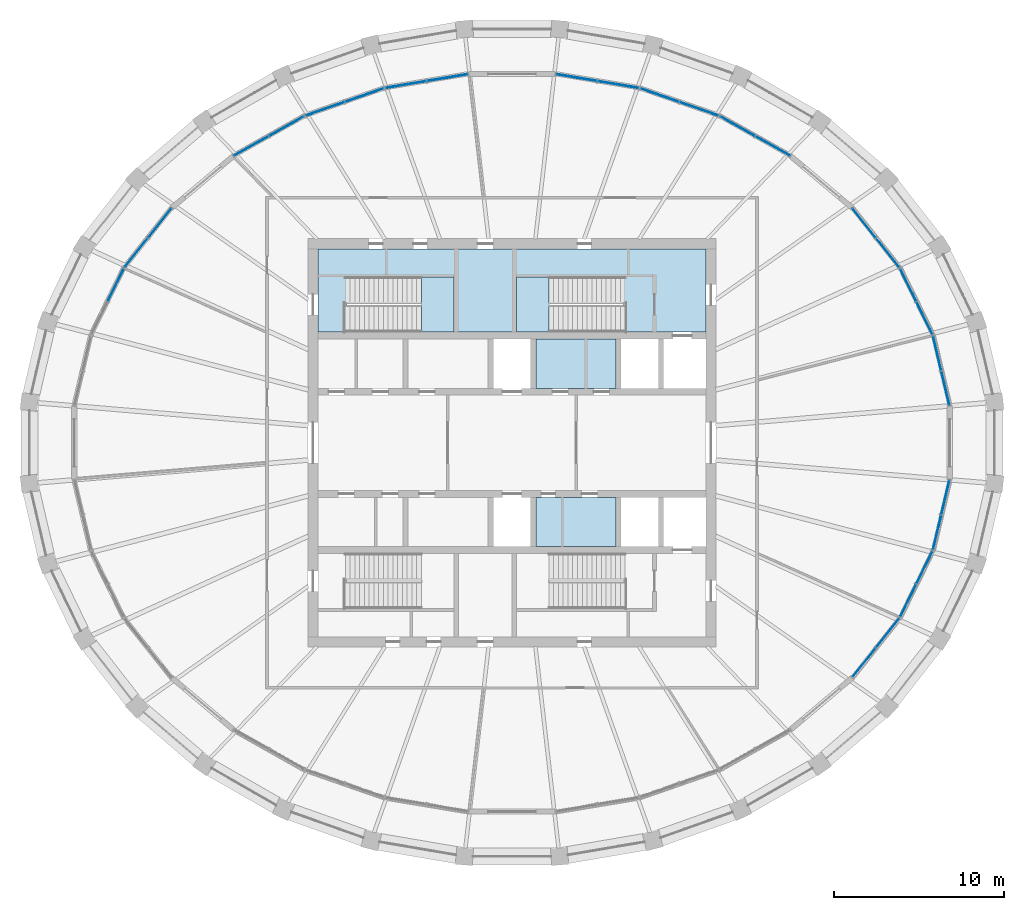
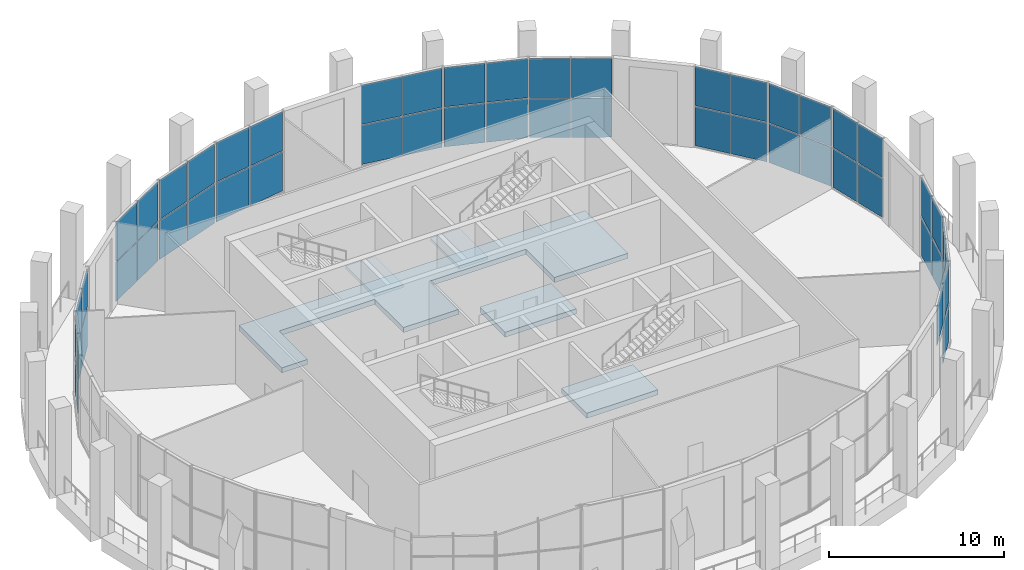
# One storey, part 9 of 15: 53 plates, 5 slabs, 16 elements without a shape of their own.
"""IFC4 building model written with IfcOpenShell, lengths in metres."""

import ifcopenshell
import ifcopenshell.guid

model = None  # the IFC model being written
_history = None  # IfcOwnerHistory: only IFC2X3 demands one
_inside = {}  # id of a spatial element -> (the spatial element, [elements in it])
_under = {}  # id of a project, library or spatial element -> (it, [spatial elements below it])
_declared = {}  # id of a project -> (the project, [libraries it declares])
_typed = {}  # id of a type object -> (the type object, [elements of that type])
_made_of = {}  # id of a material, layer set ... -> (it, [elements and type objects made of it])


def new_model(schema):
    """Start an empty IFC model of exactly this schema.

    Asked for "IFC4X3", IfcOpenShell would pick the latest addendum, in which some entities
    have other attributes; the version numbers below select the first issue.
    IFC2X3 requires an IfcOwnerHistory on every rooted entity: one is made here for all.
    """
    global model, _history
    if schema == "IFC4X3":
        model = ifcopenshell.file(schema_version=(4, 3, 0, 0))
    else:
        model = ifcopenshell.file(schema=schema)
    _inside.clear()
    _under.clear()
    _declared.clear()
    _typed.clear()
    _made_of.clear()
    _history = None
    if model.schema == "IFC2X3":
        org = make("IfcOrganization", Name="unknown")
        user = make(
            "IfcPersonAndOrganization",
            ThePerson=make("IfcPerson", FamilyName="unknown"),
            TheOrganization=org,
        )
        app = make(
            "IfcApplication",
            ApplicationDeveloper=org,
            Version="unknown",
            ApplicationFullName="unknown",
            ApplicationIdentifier="unknown",
        )
        _history = make(
            "IfcOwnerHistory",
            OwningUser=user,
            OwningApplication=app,
            ChangeAction="ADDED",
            CreationDate=0,
        )
    return model


def make(cls, **values):
    """One entity of the class cls with the attributes given. An attribute that is None is left unset."""
    return model.create_entity(
        cls, **{name: value for name, value in values.items() if value is not None}
    )


def rooted(cls, **values):
    """An entity with a GlobalId (a new one), such as an element, a storey or a relation."""
    return make(cls, GlobalId=ifcopenshell.guid.new(), OwnerHistory=_history, **values)


def si_unit(unit_type, name, prefix=None):
    """IfcSIUnit, for example si_unit("LENGTHUNIT", "METRE", prefix="MILLI")."""
    return make("IfcSIUnit", UnitType=unit_type, Prefix=prefix, Name=name)


def assignment(units):
    """IfcUnitAssignment: the units of a project."""
    return None if units is None else make("IfcUnitAssignment", Units=units)


def point(xyz):
    """IfcCartesianPoint."""
    return None if xyz is None else make("IfcCartesianPoint", Coordinates=xyz)


def direction(xyz):
    """IfcDirection."""
    return None if xyz is None else make("IfcDirection", DirectionRatios=xyz)


def frame(location, z_axis=None, x_axis=None):
    """IfcAxis2Placement3D, a coordinate frame: its origin and axes. An axis left out is left unset."""
    return make(
        "IfcAxis2Placement3D",
        Location=point(location),
        Axis=direction(z_axis),
        RefDirection=direction(x_axis),
    )


def frame_2d(location, x_axis=None):
    """IfcAxis2Placement2D, a coordinate frame in the plane: its origin and x axis."""
    return make(
        "IfcAxis2Placement2D", Location=point(location), RefDirection=direction(x_axis)
    )


def origin():
    """The frame at (0, 0, 0) with its axes left unset."""
    return frame((0.0, 0.0, 0.0))


def origin_2d():
    """The frame at (0, 0) in the plane with its x axis left unset."""
    return frame_2d((0.0, 0.0))


def place(relative_to, where):
    """IfcLocalPlacement: puts the frame where relative to a parent placement (None: the world)."""
    return make(
        "IfcLocalPlacement", PlacementRelTo=relative_to, RelativePlacement=where
    )


def context(
    kind, dimensions, precision=None, world=None, true_north=None, identifier=None
):
    """IfcGeometricRepresentationContext, for example the 3D "Model" context."""
    return make(
        "IfcGeometricRepresentationContext",
        ContextIdentifier=identifier,
        ContextType=kind,
        CoordinateSpaceDimension=dimensions,
        Precision=precision,
        WorldCoordinateSystem=world,
        TrueNorth=true_north,
    )


def subcontext(parent, identifier, kind, view, scale=None):
    """IfcGeometricRepresentationSubContext, for example "Body" below "Model"."""
    return make(
        "IfcGeometricRepresentationSubContext",
        ContextIdentifier=identifier,
        ContextType=kind,
        ParentContext=parent,
        TargetScale=scale,
        TargetView=view,
    )


def project(units=None, contexts=None):
    """IfcProject with its units and contexts."""
    return rooted(
        "IfcProject",
        Name="project",
        RepresentationContexts=contexts,
        UnitsInContext=assignment(units),
    )


def spatial(cls, under=None, at=None, **own):
    """A site, building, storey or space (cls), placed at a placement, below another one or the project."""
    s = rooted(cls, ObjectPlacement=at, **own)
    if under is not None:
        _under.setdefault(under.id(), (under, []))[1].append(s)
    return s


def polyline(points):
    """IfcPolyline through the points."""
    return make("IfcPolyline", Points=[point(p) for p in points])


def profile(cls, at=None, kind="AREA", **sizes):
    """A parametric profile (cls). Its sizes go by their IFC names, for example OverallWidth=200.0."""
    return make(cls, ProfileType=kind, Position=at, **sizes)


def rectangle(**sizes):
    """IfcRectangleProfileDef."""
    return profile("IfcRectangleProfileDef", **sizes)


def outline(outer, holes=None, kind="AREA"):
    """IfcArbitraryClosedProfileDef: a profile drawn as a closed curve; with holes, ...WithVoids."""
    if holes is None:
        return make("IfcArbitraryClosedProfileDef", ProfileType=kind, OuterCurve=outer)
    return make(
        "IfcArbitraryProfileDefWithVoids",
        ProfileType=kind,
        OuterCurve=outer,
        InnerCurves=holes,
    )


def extrude(swept, where, along, depth):
    """IfcExtrudedAreaSolid: the profile swept, set in the frame where, extruded along a direction by depth."""
    return make(
        "IfcExtrudedAreaSolid",
        SweptArea=swept,
        Position=where,
        ExtrudedDirection=direction(along),
        Depth=depth,
    )


def shape(context_of_items, identifier, shape_type, items):
    """IfcShapeRepresentation: the items that make up one representation, for example the "Body"."""
    return make(
        "IfcShapeRepresentation",
        ContextOfItems=context_of_items,
        RepresentationIdentifier=identifier,
        RepresentationType=shape_type,
        Items=items,
    )


def material(Name=None, Category=None):
    """IfcMaterial."""
    return make("IfcMaterial", Name=Name, Category=Category)


def layer(
    of_material, thickness, ventilated=None, Name=None, Category=None, Priority=None
):
    """IfcMaterialLayer: one layer of a wall or slab, of a material (None: an air gap)."""
    return make(
        "IfcMaterialLayer",
        Material=of_material,
        LayerThickness=thickness,
        IsVentilated=ventilated,
        Name=Name,
        Category=Category,
        Priority=Priority,
    )


def layer_set(layers, Name=None):
    """IfcMaterialLayerSet."""
    return make("IfcMaterialLayerSet", MaterialLayers=layers, LayerSetName=Name)


def made_of(thing, what):
    """Note that an element or type object is made of a material, layer set ...; save() writes the relation."""
    if what is not None:
        _made_of.setdefault(what.id(), (what, []))[1].append(thing)
    return thing


def type_object(cls, material=None, **own):
    """A type object (cls), such as IfcWallType, which elements share."""
    return made_of(rooted(cls, **own), material)


def element(
    cls,
    number,
    at=None,
    inside=None,
    cuts=None,
    type_object=None,
    material=None,
    context=None,
    identifier="Body",
    shape_type=None,
    held_by="IfcProductDefinitionShape",
    body=None,
    shapes=None,
    **own,
):
    """One element of the class cls, such as IfcWall. Its Tag is "e" and its number.

    at: its placement. inside: the storey or other place that contains it. cuts: it is an
    opening in that element (IfcRelVoidsElement). A single representation is given by context,
    identifier, shape_type and body (its items); several are given by shapes. held_by: the class
    of the entity that holds the representations. save() writes the other relations.
    """
    e = rooted(cls, Tag="e%d" % number, ObjectPlacement=at, **own)
    if body is not None:
        shapes = [shape(context, identifier, shape_type, body)]
    if shapes is not None:
        e.Representation = make(held_by, Representations=shapes)
    if inside is not None:
        _inside.setdefault(inside.id(), (inside, []))[1].append(e)
    if cuts is not None:
        rooted(
            "IfcRelVoidsElement", RelatingBuildingElement=cuts, RelatedOpeningElement=e
        )
    if type_object is not None:
        _typed.setdefault(type_object.id(), (type_object, []))[1].append(e)
    return made_of(e, material)


def aggregate(whole, parts):
    """IfcRelAggregates: a whole, such as a stair, and the parts it consists of."""
    return rooted("IfcRelAggregates", RelatingObject=whole, RelatedObjects=parts)


def save(model, path):
    """Write the relations noted so far, then the file.

    IfcRelAggregates (storeys below a building ...), IfcRelContainedInSpatialStructure (elements
    in a storey), IfcRelDefinesByType, IfcRelAssociatesMaterial and IfcRelDeclares: one each for
    every whole, place, type object, material and project.
    """
    for whole, parts in _under.values():
        aggregate(whole, parts)
    for where, things in _inside.values():
        rooted(
            "IfcRelContainedInSpatialStructure",
            RelatedElements=things,
            RelatingStructure=where,
        )
    for kind, things in _typed.values():
        rooted("IfcRelDefinesByType", RelatedObjects=things, RelatingType=kind)
    for what, things in _made_of.values():
        rooted("IfcRelAssociatesMaterial", RelatedObjects=things, RelatingMaterial=what)
    for by, libraries in _declared.values():
        rooted("IfcRelDeclares", RelatingContext=by, RelatedDefinitions=libraries)
    model.write(path)


model = new_model("IFC4")

# Units and contexts
model_context = context("Model", 3, precision=1e-05, world=origin(), true_north=direction((0.0, 1.0)))
body_context = subcontext(model_context, "Body", "Model", "MODEL_VIEW")
ifc_project = project(units=[si_unit("LENGTHUNIT", "METRE"), si_unit("AREAUNIT", "SQUARE_METRE"), si_unit("VOLUMEUNIT", "CUBIC_METRE"), si_unit("PLANEANGLEUNIT", "RADIAN"), si_unit("MASSUNIT", "GRAM", prefix="KILO")], contexts=[model_context])

# Site, building, storey
site_placement = place(None, origin())
site = spatial("IfcSite", under=ifc_project, at=site_placement, CompositionType="ELEMENT")
building_placement = place(site_placement, origin())
building = spatial("IfcBuilding", under=site, at=building_placement, Name="Halqa Exchange Tower", CompositionType="ELEMENT")
storey_placement = place(building_placement, frame((0.0, 0.0, 343.300048828125)))
storey = spatial("IfcBuildingStorey", under=building, at=storey_placement, Name="L80", CompositionType="ELEMENT", Elevation=343.300048828125)

# Slabs
ifc_material_1 = material(Name="Concrete C60/75", Category="concrete")
ifc_layer_1 = layer(ifc_material_1, 0.35009765625)
ifc_layer_set_1 = layer_set([ifc_layer_1], Name="Concrete C60/75")
slab_type_1 = type_object("IfcSlabType", Name="Core floor slab 350", PredefinedType="FLOOR", material=ifc_layer_set_1)
slab_1_placement = place(storey_placement, frame((0.0, 0.0, -0.35009765625)))
element("IfcSlab", 1, at=slab_1_placement, inside=storey, type_object=slab_type_1, Name="Core floor slab", PredefinedType="FLOOR", context=body_context, shape_type="SweptSolid", body=[
    extrude(outline(polyline([(11.39990234375, 11.39990234375), (11.39990234375, 6.5), (6.550048828125, 6.5), (6.550048828125, 9.75), (0.25, 9.75), (0.25, 6.5), (-3.39990234375, 6.5), (-3.39990234375, 9.75), (-9.699951171875, 9.75), (-9.699951171875, 6.5), (-11.39990234375, 6.5), (-11.39990234375, 11.39990234375), (11.39990234375, 11.39990234375)])), origin(), (0.0, 0.0, 1.0), 0.35009765625),
])
slab_2_placement = place(storey_placement, frame((0.0, 0.0, -0.35009765625)))
element("IfcSlab", 2, at=slab_2_placement, inside=storey, type_object=slab_type_1, Name="Core floor slab", PredefinedType="FLOOR", context=body_context, shape_type="SweptSolid", body=[
    extrude(outline(polyline([(6.10009765625, -3.199951171875), (6.10009765625, -6.10009765625), (1.39990234375, -6.10009765625), (1.39990234375, -3.199951171875), (6.10009765625, -3.199951171875)])), origin(), (0.0, 0.0, 1.0), 0.35009765625),
])
slab_3_placement = place(storey_placement, frame((0.0, 0.0, -0.35009765625)))
element("IfcSlab", 3, at=slab_3_placement, inside=storey, type_object=slab_type_1, Name="Core floor slab", PredefinedType="FLOOR", context=body_context, shape_type="SweptSolid", body=[
    extrude(outline(polyline([(6.10009765625, 6.10009765625), (6.10009765625, 3.199951171875), (1.39990234375, 3.199951171875), (1.39990234375, 6.10009765625), (6.10009765625, 6.10009765625)])), origin(), (0.0, 0.0, 1.0), 0.35009765625),
])

# Curtain wall, plates
ifc_material_2 = material(Name="Anodised aluminium and clear glass", Category="aluminium")
curtain_wall_type = type_object("IfcCurtainWallType", Name="Observation deck glazing", PredefinedType="NOTDEFINED", material=ifc_material_2)
curtain_wall_1_placement = place(storey_placement, origin())
curtain_wall_1 = element("IfcCurtainWall", 4, at=curtain_wall_1_placement, inside=storey, type_object=curtain_wall_type, Name="Observation deck glazing run G1", PredefinedType="NOTDEFINED")
ifc_material_3 = material(Name="Clear glass", Category="glass")
ifc_layer_2 = layer(ifc_material_3, 0.0439453125)
ifc_layer_set_2 = layer_set([ifc_layer_2], Name="Clear glass")
plate_type = type_object("IfcPlateType", Name="Laminated safety glass panel 44", PredefinedType="CURTAIN_PANEL", material=ifc_layer_set_2)
plate_1_placement = place(storey_placement, frame((25.474609375, 3.20263671875, 0.06982421875), z_axis=(0.0, 0.0, 1.0), x_axis=(-0.229995471437, 0.97319169906, 0.0)))
plate_1 = element("IfcPlate", 5, at=plate_1_placement, type_object=plate_type, Name="G1 panel 1.1", PredefinedType="CURTAIN_PANEL", context=body_context, shape_type="SweptSolid", body=[
    extrude(rectangle(XDim=2.048828125, YDim=0.0439453125, at=origin_2d()), origin(), (0.0, 0.0, 1.0), 2.719970703125),
])
plate_2_placement = place(storey_placement, frame((25.474609375, 3.20263671875, 2.85986328125), z_axis=(0.0, 0.0, 1.0), x_axis=(-0.229995471437, 0.97319169906, 0.0)))
plate_2 = element("IfcPlate", 6, at=plate_2_placement, type_object=plate_type, Name="G1 panel 1.2", PredefinedType="CURTAIN_PANEL", context=body_context, shape_type="SweptSolid", body=[
    extrude(rectangle(XDim=2.048828125, YDim=0.0439453125, at=origin_2d()), origin(), (0.0, 0.0, 1.0), 2.719970703125),
])
plate_3_placement = place(storey_placement, frame((24.9873046875, 5.264404296875, 0.06982421875), z_axis=(0.0, 0.0, 1.0), x_axis=(-0.229995471437, 0.97319169906, 0.0)))
plate_3 = element("IfcPlate", 7, at=plate_3_placement, type_object=plate_type, Name="G1 panel 2.1", PredefinedType="CURTAIN_PANEL", context=body_context, shape_type="SweptSolid", body=[
    extrude(rectangle(XDim=2.048828125, YDim=0.0439453125, at=origin_2d()), origin(), (0.0, 0.0, 1.0), 2.719970703125),
])
plate_4_placement = place(storey_placement, frame((24.9873046875, 5.264404296875, 2.85986328125), z_axis=(0.0, 0.0, 1.0), x_axis=(-0.229995471437, 0.97319169906, 0.0)))
plate_4 = element("IfcPlate", 8, at=plate_4_placement, type_object=plate_type, Name="G1 panel 2.2", PredefinedType="CURTAIN_PANEL", context=body_context, shape_type="SweptSolid", body=[
    extrude(rectangle(XDim=2.048828125, YDim=0.0439453125, at=origin_2d()), origin(), (0.0, 0.0, 1.0), 2.719970703125),
])
aggregate(curtain_wall_1, [plate_1, plate_2, plate_3, plate_4])

curtain_wall_2_placement = place(storey_placement, origin())
curtain_wall_2 = element("IfcCurtainWall", 9, at=curtain_wall_2_placement, inside=storey, type_object=curtain_wall_type, Name="Observation deck glazing run G2", PredefinedType="NOTDEFINED")
plate_5_placement = place(storey_placement, frame((24.2421875, 7.33203125, 0.06982421875), z_axis=(0.0, 0.0, 1.0), x_axis=(-0.441594506199, 0.897214741349, 0.0)))
plate_5 = element("IfcPlate", 10, at=plate_5_placement, type_object=plate_type, Name="G2 panel 1.1", PredefinedType="CURTAIN_PANEL", context=body_context, shape_type="SweptSolid", body=[
    extrude(rectangle(XDim=2.094482421875, YDim=0.0439453125, at=origin_2d()), origin(), (0.0, 0.0, 1.0), 2.719970703125),
])
plate_6_placement = place(storey_placement, frame((24.2421875, 7.33203125, 2.85986328125), z_axis=(0.0, 0.0, 1.0), x_axis=(-0.441594506199, 0.897214741349, 0.0)))
plate_6 = element("IfcPlate", 11, at=plate_6_placement, type_object=plate_type, Name="G2 panel 1.2", PredefinedType="CURTAIN_PANEL", context=body_context, shape_type="SweptSolid", body=[
    extrude(rectangle(XDim=2.094482421875, YDim=0.0439453125, at=origin_2d()), origin(), (0.0, 0.0, 1.0), 2.719970703125),
])
plate_7_placement = place(storey_placement, frame((23.286376953125, 9.27392578125, 0.06982421875), z_axis=(0.0, 0.0, 1.0), x_axis=(-0.441594506199, 0.897214741349, 0.0)))
plate_7 = element("IfcPlate", 12, at=plate_7_placement, type_object=plate_type, Name="G2 panel 2.1", PredefinedType="CURTAIN_PANEL", context=body_context, shape_type="SweptSolid", body=[
    extrude(rectangle(XDim=2.094482421875, YDim=0.0439453125, at=origin_2d()), origin(), (0.0, 0.0, 1.0), 2.719970703125),
])
plate_8_placement = place(storey_placement, frame((23.286376953125, 9.27392578125, 2.85986328125), z_axis=(0.0, 0.0, 1.0), x_axis=(-0.441594506199, 0.897214741349, 0.0)))
plate_8 = element("IfcPlate", 13, at=plate_8_placement, type_object=plate_type, Name="G2 panel 2.2", PredefinedType="CURTAIN_PANEL", context=body_context, shape_type="SweptSolid", body=[
    extrude(rectangle(XDim=2.094482421875, YDim=0.0439453125, at=origin_2d()), origin(), (0.0, 0.0, 1.0), 2.719970703125),
])
aggregate(curtain_wall_2, [plate_5, plate_6, plate_7, plate_8])

curtain_wall_3_placement = place(storey_placement, origin())
curtain_wall_3 = element("IfcCurtainWall", 14, at=curtain_wall_3_placement, inside=storey, type_object=curtain_wall_type, Name="Observation deck glazing run G3", PredefinedType="NOTDEFINED")
plate_9_placement = place(storey_placement, frame((22.077392578125, 11.177490234375, 0.06982421875), z_axis=(0.0, 0.0, 1.0), x_axis=(-0.621817275737, 0.783162355834, 0.0)))
plate_9 = element("IfcPlate", 15, at=plate_9_placement, type_object=plate_type, Name="G3 panel 1.1", PredefinedType="CURTAIN_PANEL", context=body_context, shape_type="SweptSolid", body=[
    extrude(rectangle(XDim=2.161376953125, YDim=0.0439453125, at=origin_2d()), origin(), (0.0, 0.0, 1.0), 2.719970703125),
])
plate_10_placement = place(storey_placement, frame((22.077392578125, 11.177490234375, 2.85986328125), z_axis=(0.0, 0.0, 1.0), x_axis=(-0.621817275737, 0.783162355834, 0.0)))
plate_10 = element("IfcPlate", 16, at=plate_10_placement, type_object=plate_type, Name="G3 panel 1.2", PredefinedType="CURTAIN_PANEL", context=body_context, shape_type="SweptSolid", body=[
    extrude(rectangle(XDim=2.161376953125, YDim=0.0439453125, at=origin_2d()), origin(), (0.0, 0.0, 1.0), 2.719970703125),
])
plate_11_placement = place(storey_placement, frame((20.68994140625, 12.925048828125, 0.06982421875), z_axis=(0.0, 0.0, 1.0), x_axis=(-0.621817275737, 0.783162355834, 0.0)))
plate_11 = element("IfcPlate", 17, at=plate_11_placement, type_object=plate_type, Name="G3 panel 2.1", PredefinedType="CURTAIN_PANEL", context=body_context, shape_type="SweptSolid", body=[
    extrude(rectangle(XDim=2.161376953125, YDim=0.0439453125, at=origin_2d()), origin(), (0.0, 0.0, 1.0), 2.719970703125),
])
plate_12_placement = place(storey_placement, frame((20.68994140625, 12.925048828125, 2.85986328125), z_axis=(0.0, 0.0, 1.0), x_axis=(-0.621817275737, 0.783162355834, 0.0)))
plate_12 = element("IfcPlate", 18, at=plate_12_placement, type_object=plate_type, Name="G3 panel 2.2", PredefinedType="CURTAIN_PANEL", context=body_context, shape_type="SweptSolid", body=[
    extrude(rectangle(XDim=2.161376953125, YDim=0.0439453125, at=origin_2d()), origin(), (0.0, 0.0, 1.0), 2.719970703125),
])
aggregate(curtain_wall_3, [plate_9, plate_10, plate_11, plate_12])

curtain_wall_4_placement = place(storey_placement, origin())
curtain_wall_4 = element("IfcCurtainWall", 19, at=curtain_wall_4_placement, inside=storey, type_object=curtain_wall_type, Name="Observation deck glazing run G5", PredefinedType="NOTDEFINED")
plate_13_placement = place(storey_placement, frame((15.3212890625, 17.44384765625, 0.06982421875), z_axis=(0.0, 0.0, 1.0), x_axis=(-0.871633547948, 0.490158094997, 0.0)))
plate_13 = element("IfcPlate", 20, at=plate_13_placement, type_object=plate_type, Name="G5 panel 1.1", PredefinedType="CURTAIN_PANEL", context=body_context, shape_type="SweptSolid", body=[
    extrude(rectangle(XDim=2.311767578125, YDim=0.0439453125, at=origin_2d()), origin(), (0.0, 0.0, 1.0), 2.719970703125),
])
plate_14_placement = place(storey_placement, frame((15.3212890625, 17.44384765625, 2.85986328125), z_axis=(0.0, 0.0, 1.0), x_axis=(-0.871633547948, 0.490158094997, 0.0)))
plate_14 = element("IfcPlate", 21, at=plate_14_placement, type_object=plate_type, Name="G5 panel 1.2", PredefinedType="CURTAIN_PANEL", context=body_context, shape_type="SweptSolid", body=[
    extrude(rectangle(XDim=2.311767578125, YDim=0.0439453125, at=origin_2d()), origin(), (0.0, 0.0, 1.0), 2.719970703125),
])
plate_15_placement = place(storey_placement, frame((13.245361328125, 18.611083984375, 0.06982421875), z_axis=(0.0, 0.0, 1.0), x_axis=(-0.871633547948, 0.490158094997, 0.0)))
plate_15 = element("IfcPlate", 22, at=plate_15_placement, type_object=plate_type, Name="G5 panel 2.1", PredefinedType="CURTAIN_PANEL", context=body_context, shape_type="SweptSolid", body=[
    extrude(rectangle(XDim=2.311767578125, YDim=0.0439453125, at=origin_2d()), origin(), (0.0, 0.0, 1.0), 2.719970703125),
])
plate_16_placement = place(storey_placement, frame((13.245361328125, 18.611083984375, 2.85986328125), z_axis=(0.0, 0.0, 1.0), x_axis=(-0.871633547948, 0.490158094997, 0.0)))
plate_16 = element("IfcPlate", 23, at=plate_16_placement, type_object=plate_type, Name="G5 panel 2.2", PredefinedType="CURTAIN_PANEL", context=body_context, shape_type="SweptSolid", body=[
    extrude(rectangle(XDim=2.311767578125, YDim=0.0439453125, at=origin_2d()), origin(), (0.0, 0.0, 1.0), 2.719970703125),
])
aggregate(curtain_wall_4, [plate_13, plate_14, plate_15, plate_16])

curtain_wall_5_placement = place(storey_placement, origin())
curtain_wall_5 = element("IfcCurtainWall", 24, at=curtain_wall_5_placement, inside=storey, type_object=curtain_wall_type, Name="Observation deck glazing run G6", PredefinedType="NOTDEFINED")
plate_17_placement = place(storey_placement, frame((10.990478515625, 19.62548828125, 0.06982421875), z_axis=(0.0, 0.0, 1.0), x_axis=(-0.9442741551, 0.329160021888, 0.0)))
plate_17 = element("IfcPlate", 25, at=plate_17_placement, type_object=plate_type, Name="G6 panel 1.1", PredefinedType="CURTAIN_PANEL", context=body_context, shape_type="SweptSolid", body=[
    extrude(rectangle(XDim=2.37255859375, YDim=0.0439453125, at=origin_2d()), origin(), (0.0, 0.0, 1.0), 2.719970703125),
])
plate_18_placement = place(storey_placement, frame((10.990478515625, 19.62548828125, 2.85986328125), z_axis=(0.0, 0.0, 1.0), x_axis=(-0.9442741551, 0.329160021888, 0.0)))
plate_18 = element("IfcPlate", 26, at=plate_18_placement, type_object=plate_type, Name="G6 panel 1.2", PredefinedType="CURTAIN_PANEL", context=body_context, shape_type="SweptSolid", body=[
    extrude(rectangle(XDim=2.37255859375, YDim=0.0439453125, at=origin_2d()), origin(), (0.0, 0.0, 1.0), 2.719970703125),
])
plate_19_placement = place(storey_placement, frame((8.683837890625, 20.429443359375, 0.06982421875), z_axis=(0.0, 0.0, 1.0), x_axis=(-0.9442741551, 0.329160021888, 0.0)))
plate_19 = element("IfcPlate", 27, at=plate_19_placement, type_object=plate_type, Name="G6 panel 2.1", PredefinedType="CURTAIN_PANEL", context=body_context, shape_type="SweptSolid", body=[
    extrude(rectangle(XDim=2.37255859375, YDim=0.0439453125, at=origin_2d()), origin(), (0.0, 0.0, 1.0), 2.719970703125),
])
plate_20_placement = place(storey_placement, frame((8.683837890625, 20.429443359375, 2.85986328125), z_axis=(0.0, 0.0, 1.0), x_axis=(-0.9442741551, 0.329160021888, 0.0)))
plate_20 = element("IfcPlate", 28, at=plate_20_placement, type_object=plate_type, Name="G6 panel 2.2", PredefinedType="CURTAIN_PANEL", context=body_context, shape_type="SweptSolid", body=[
    extrude(rectangle(XDim=2.37255859375, YDim=0.0439453125, at=origin_2d()), origin(), (0.0, 0.0, 1.0), 2.719970703125),
])
aggregate(curtain_wall_5, [plate_17, plate_18, plate_19, plate_20])

curtain_wall_6_placement = place(storey_placement, origin())
curtain_wall_6 = element("IfcCurtainWall", 29, at=curtain_wall_6_placement, inside=storey, type_object=curtain_wall_type, Name="Observation deck glazing run G7", PredefinedType="NOTDEFINED")
plate_21_placement = place(storey_placement, frame((6.23876953125, 21.053955078125, 0.06982421875), z_axis=(0.0, 0.0, 1.0), x_axis=(-0.986273964834, 0.165117129007, 0.0)))
plate_21 = element("IfcPlate", 30, at=plate_21_placement, type_object=plate_type, Name="G7 panel 1.1", PredefinedType="CURTAIN_PANEL", context=body_context, shape_type="SweptSolid", body=[
    extrude(rectangle(XDim=2.41259765625, YDim=0.0439453125, at=origin_2d()), origin(), (0.0, 0.0, 1.0), 2.719970703125),
])
plate_22_placement = place(storey_placement, frame((6.23876953125, 21.053955078125, 2.85986328125), z_axis=(0.0, 0.0, 1.0), x_axis=(-0.986273964834, 0.165117129007, 0.0)))
plate_22 = element("IfcPlate", 31, at=plate_22_placement, type_object=plate_type, Name="G7 panel 1.2", PredefinedType="CURTAIN_PANEL", context=body_context, shape_type="SweptSolid", body=[
    extrude(rectangle(XDim=2.41259765625, YDim=0.0439453125, at=origin_2d()), origin(), (0.0, 0.0, 1.0), 2.719970703125),
])
plate_23_placement = place(storey_placement, frame((3.790283203125, 21.4638671875, 0.06982421875), z_axis=(0.0, 0.0, 1.0), x_axis=(-0.986273964834, 0.165117129007, 0.0)))
plate_23 = element("IfcPlate", 32, at=plate_23_placement, type_object=plate_type, Name="G7 panel 2.1", PredefinedType="CURTAIN_PANEL", context=body_context, shape_type="SweptSolid", body=[
    extrude(rectangle(XDim=2.41259765625, YDim=0.0439453125, at=origin_2d()), origin(), (0.0, 0.0, 1.0), 2.719970703125),
])
plate_24_placement = place(storey_placement, frame((3.790283203125, 21.4638671875, 2.85986328125), z_axis=(0.0, 0.0, 1.0), x_axis=(-0.986273964834, 0.165117129007, 0.0)))
plate_24 = element("IfcPlate", 33, at=plate_24_placement, type_object=plate_type, Name="G7 panel 2.2", PredefinedType="CURTAIN_PANEL", context=body_context, shape_type="SweptSolid", body=[
    extrude(rectangle(XDim=2.41259765625, YDim=0.0439453125, at=origin_2d()), origin(), (0.0, 0.0, 1.0), 2.719970703125),
])
aggregate(curtain_wall_6, [plate_21, plate_22, plate_23, plate_24])

curtain_wall_7_placement = place(storey_placement, origin())
curtain_wall_7 = element("IfcCurtainWall", 34, at=curtain_wall_7_placement, inside=storey, type_object=curtain_wall_type, Name="Observation deck glazing run G9", PredefinedType="NOTDEFINED")
plate_25_placement = place(storey_placement, frame((-3.790283203125, 21.4638671875, 0.06982421875), z_axis=(0.0, 0.0, 1.0), x_axis=(-0.986273964834, -0.165117129007, 0.0)))
plate_25 = element("IfcPlate", 35, at=plate_25_placement, type_object=plate_type, Name="G9 panel 1.1", PredefinedType="CURTAIN_PANEL", context=body_context, shape_type="SweptSolid", body=[
    extrude(rectangle(XDim=2.41259765625, YDim=0.0439453125, at=origin_2d()), origin(), (0.0, 0.0, 1.0), 2.719970703125),
])
plate_26_placement = place(storey_placement, frame((-3.790283203125, 21.4638671875, 2.85986328125), z_axis=(0.0, 0.0, 1.0), x_axis=(-0.986273964834, -0.165117129007, 0.0)))
plate_26 = element("IfcPlate", 36, at=plate_26_placement, type_object=plate_type, Name="G9 panel 1.2", PredefinedType="CURTAIN_PANEL", context=body_context, shape_type="SweptSolid", body=[
    extrude(rectangle(XDim=2.41259765625, YDim=0.0439453125, at=origin_2d()), origin(), (0.0, 0.0, 1.0), 2.719970703125),
])
plate_27_placement = place(storey_placement, frame((-6.23876953125, 21.053955078125, 0.06982421875), z_axis=(0.0, 0.0, 1.0), x_axis=(-0.986273964834, -0.165117129007, 0.0)))
plate_27 = element("IfcPlate", 37, at=plate_27_placement, type_object=plate_type, Name="G9 panel 2.1", PredefinedType="CURTAIN_PANEL", context=body_context, shape_type="SweptSolid", body=[
    extrude(rectangle(XDim=2.41259765625, YDim=0.0439453125, at=origin_2d()), origin(), (0.0, 0.0, 1.0), 2.719970703125),
])
plate_28_placement = place(storey_placement, frame((-6.23876953125, 21.053955078125, 2.85986328125), z_axis=(0.0, 0.0, 1.0), x_axis=(-0.986273964834, -0.165117129007, 0.0)))
plate_28 = element("IfcPlate", 38, at=plate_28_placement, type_object=plate_type, Name="G9 panel 2.2", PredefinedType="CURTAIN_PANEL", context=body_context, shape_type="SweptSolid", body=[
    extrude(rectangle(XDim=2.41259765625, YDim=0.0439453125, at=origin_2d()), origin(), (0.0, 0.0, 1.0), 2.719970703125),
])
aggregate(curtain_wall_7, [plate_25, plate_26, plate_27, plate_28])

curtain_wall_8_placement = place(storey_placement, origin())
curtain_wall_8 = element("IfcCurtainWall", 39, at=curtain_wall_8_placement, inside=storey, type_object=curtain_wall_type, Name="Observation deck glazing run G10", PredefinedType="NOTDEFINED")
plate_29_placement = place(storey_placement, frame((-8.683837890625, 20.429443359375, 0.06982421875), z_axis=(0.0, 0.0, 1.0), x_axis=(-0.9442741551, -0.329160021888, 0.0)))
plate_29 = element("IfcPlate", 40, at=plate_29_placement, type_object=plate_type, Name="G10 panel 1.1", PredefinedType="CURTAIN_PANEL", context=body_context, shape_type="SweptSolid", body=[
    extrude(rectangle(XDim=2.37255859375, YDim=0.0439453125, at=origin_2d()), origin(), (0.0, 0.0, 1.0), 2.719970703125),
])
plate_30_placement = place(storey_placement, frame((-8.683837890625, 20.429443359375, 2.85986328125), z_axis=(0.0, 0.0, 1.0), x_axis=(-0.9442741551, -0.329160021888, 0.0)))
plate_30 = element("IfcPlate", 41, at=plate_30_placement, type_object=plate_type, Name="G10 panel 1.2", PredefinedType="CURTAIN_PANEL", context=body_context, shape_type="SweptSolid", body=[
    extrude(rectangle(XDim=2.37255859375, YDim=0.0439453125, at=origin_2d()), origin(), (0.0, 0.0, 1.0), 2.719970703125),
])
plate_31_placement = place(storey_placement, frame((-10.990478515625, 19.62548828125, 0.06982421875), z_axis=(0.0, 0.0, 1.0), x_axis=(-0.9442741551, -0.329160021888, 0.0)))
plate_31 = element("IfcPlate", 42, at=plate_31_placement, type_object=plate_type, Name="G10 panel 2.1", PredefinedType="CURTAIN_PANEL", context=body_context, shape_type="SweptSolid", body=[
    extrude(rectangle(XDim=2.37255859375, YDim=0.0439453125, at=origin_2d()), origin(), (0.0, 0.0, 1.0), 2.719970703125),
])
plate_32_placement = place(storey_placement, frame((-10.990478515625, 19.62548828125, 2.85986328125), z_axis=(0.0, 0.0, 1.0), x_axis=(-0.9442741551, -0.329160021888, 0.0)))
plate_32 = element("IfcPlate", 43, at=plate_32_placement, type_object=plate_type, Name="G10 panel 2.2", PredefinedType="CURTAIN_PANEL", context=body_context, shape_type="SweptSolid", body=[
    extrude(rectangle(XDim=2.37255859375, YDim=0.0439453125, at=origin_2d()), origin(), (0.0, 0.0, 1.0), 2.719970703125),
])
aggregate(curtain_wall_8, [plate_29, plate_30, plate_31, plate_32])

curtain_wall_9_placement = place(storey_placement, origin())
curtain_wall_9 = element("IfcCurtainWall", 44, at=curtain_wall_9_placement, inside=storey, type_object=curtain_wall_type, Name="Observation deck glazing run G11", PredefinedType="NOTDEFINED")
plate_33_placement = place(storey_placement, frame((-13.245361328125, 18.611083984375, 0.06982421875), z_axis=(0.0, 0.0, 1.0), x_axis=(-0.871633547948, -0.490158094997, 0.0)))
plate_33 = element("IfcPlate", 45, at=plate_33_placement, type_object=plate_type, Name="G11 panel 1.1", PredefinedType="CURTAIN_PANEL", context=body_context, shape_type="SweptSolid", body=[
    extrude(rectangle(XDim=2.311767578125, YDim=0.0439453125, at=origin_2d()), origin(), (0.0, 0.0, 1.0), 2.719970703125),
])
plate_34_placement = place(storey_placement, frame((-13.245361328125, 18.611083984375, 2.85986328125), z_axis=(0.0, 0.0, 1.0), x_axis=(-0.871633547948, -0.490158094997, 0.0)))
plate_34 = element("IfcPlate", 46, at=plate_34_placement, type_object=plate_type, Name="G11 panel 1.2", PredefinedType="CURTAIN_PANEL", context=body_context, shape_type="SweptSolid", body=[
    extrude(rectangle(XDim=2.311767578125, YDim=0.0439453125, at=origin_2d()), origin(), (0.0, 0.0, 1.0), 2.719970703125),
])
plate_35_placement = place(storey_placement, frame((-15.3212890625, 17.44384765625, 0.06982421875), z_axis=(0.0, 0.0, 1.0), x_axis=(-0.871633547948, -0.490158094997, 0.0)))
plate_35 = element("IfcPlate", 47, at=plate_35_placement, type_object=plate_type, Name="G11 panel 2.1", PredefinedType="CURTAIN_PANEL", context=body_context, shape_type="SweptSolid", body=[
    extrude(rectangle(XDim=2.311767578125, YDim=0.0439453125, at=origin_2d()), origin(), (0.0, 0.0, 1.0), 2.719970703125),
])
plate_36_placement = place(storey_placement, frame((-15.3212890625, 17.44384765625, 2.85986328125), z_axis=(0.0, 0.0, 1.0), x_axis=(-0.871633547948, -0.490158094997, 0.0)))
plate_36 = element("IfcPlate", 48, at=plate_36_placement, type_object=plate_type, Name="G11 panel 2.2", PredefinedType="CURTAIN_PANEL", context=body_context, shape_type="SweptSolid", body=[
    extrude(rectangle(XDim=2.311767578125, YDim=0.0439453125, at=origin_2d()), origin(), (0.0, 0.0, 1.0), 2.719970703125),
])
aggregate(curtain_wall_9, [plate_33, plate_34, plate_35, plate_36])

curtain_wall_10_placement = place(storey_placement, origin())
curtain_wall_10 = element("IfcCurtainWall", 49, at=curtain_wall_10_placement, inside=storey, type_object=curtain_wall_type, Name="Observation deck glazing run G13", PredefinedType="NOTDEFINED")
plate_37_placement = place(storey_placement, frame((-20.68994140625, 12.925048828125, 0.06982421875), z_axis=(0.0, 0.0, 1.0), x_axis=(-0.621817275737, -0.783162355834, 0.0)))
plate_37 = element("IfcPlate", 50, at=plate_37_placement, type_object=plate_type, Name="G13 panel 1.1", PredefinedType="CURTAIN_PANEL", context=body_context, shape_type="SweptSolid", body=[
    extrude(rectangle(XDim=2.161376953125, YDim=0.0439453125, at=origin_2d()), origin(), (0.0, 0.0, 1.0), 2.719970703125),
])
plate_38_placement = place(storey_placement, frame((-20.68994140625, 12.925048828125, 2.85986328125), z_axis=(0.0, 0.0, 1.0), x_axis=(-0.621817275737, -0.783162355834, 0.0)))
plate_38 = element("IfcPlate", 51, at=plate_38_placement, type_object=plate_type, Name="G13 panel 1.2", PredefinedType="CURTAIN_PANEL", context=body_context, shape_type="SweptSolid", body=[
    extrude(rectangle(XDim=2.161376953125, YDim=0.0439453125, at=origin_2d()), origin(), (0.0, 0.0, 1.0), 2.719970703125),
])
plate_39_placement = place(storey_placement, frame((-22.077392578125, 11.177490234375, 0.06982421875), z_axis=(0.0, 0.0, 1.0), x_axis=(-0.621817275737, -0.783162355834, 0.0)))
plate_39 = element("IfcPlate", 52, at=plate_39_placement, type_object=plate_type, Name="G13 panel 2.1", PredefinedType="CURTAIN_PANEL", context=body_context, shape_type="SweptSolid", body=[
    extrude(rectangle(XDim=2.161376953125, YDim=0.0439453125, at=origin_2d()), origin(), (0.0, 0.0, 1.0), 2.719970703125),
])
plate_40_placement = place(storey_placement, frame((-22.077392578125, 11.177490234375, 2.85986328125), z_axis=(0.0, 0.0, 1.0), x_axis=(-0.621817275737, -0.783162355834, 0.0)))
plate_40 = element("IfcPlate", 53, at=plate_40_placement, type_object=plate_type, Name="G13 panel 2.2", PredefinedType="CURTAIN_PANEL", context=body_context, shape_type="SweptSolid", body=[
    extrude(rectangle(XDim=2.161376953125, YDim=0.0439453125, at=origin_2d()), origin(), (0.0, 0.0, 1.0), 2.719970703125),
])
aggregate(curtain_wall_10, [plate_37, plate_38, plate_39, plate_40])

curtain_wall_11_placement = place(storey_placement, origin())
curtain_wall_11 = element("IfcCurtainWall", 54, at=curtain_wall_11_placement, inside=storey, type_object=curtain_wall_type, Name="Observation deck glazing run G14", PredefinedType="NOTDEFINED")
plate_41_placement = place(storey_placement, frame((-23.286376953125, 9.27392578125, 0.06982421875), z_axis=(0.0, 0.0, 1.0), x_axis=(-0.441594506199, -0.897214741349, 0.0)))
plate_41 = element("IfcPlate", 55, at=plate_41_placement, type_object=plate_type, Name="G14 panel 1.1", PredefinedType="CURTAIN_PANEL", context=body_context, shape_type="SweptSolid", body=[
    extrude(rectangle(XDim=2.094482421875, YDim=0.0439453125, at=origin_2d()), origin(), (0.0, 0.0, 1.0), 2.719970703125),
])
plate_42_placement = place(storey_placement, frame((-23.286376953125, 9.27392578125, 2.85986328125), z_axis=(0.0, 0.0, 1.0), x_axis=(-0.441594506199, -0.897214741349, 0.0)))
plate_42 = element("IfcPlate", 56, at=plate_42_placement, type_object=plate_type, Name="G14 panel 1.2", PredefinedType="CURTAIN_PANEL", context=body_context, shape_type="SweptSolid", body=[
    extrude(rectangle(XDim=2.094482421875, YDim=0.0439453125, at=origin_2d()), origin(), (0.0, 0.0, 1.0), 2.719970703125),
])
aggregate(curtain_wall_11, [plate_41, plate_42])

curtain_wall_12_placement = place(storey_placement, origin())
curtain_wall_12 = element("IfcCurtainWall", 57, at=curtain_wall_12_placement, inside=storey, type_object=curtain_wall_type, Name="Observation deck glazing run G29", PredefinedType="NOTDEFINED")
plate_43_placement = place(storey_placement, frame((20.68994140625, -12.925048828125, 2.85986328125), z_axis=(0.0, 0.0, 1.0), x_axis=(0.621817275737, 0.783162355834, 0.0)))
plate_43 = element("IfcPlate", 58, at=plate_43_placement, type_object=plate_type, Name="G29 panel 1.2", PredefinedType="CURTAIN_PANEL", context=body_context, shape_type="SweptSolid", body=[
    extrude(rectangle(XDim=2.161376953125, YDim=0.0439453125, at=origin_2d()), origin(), (0.0, 0.0, 1.0), 2.719970703125),
])
plate_44_placement = place(storey_placement, frame((22.077392578125, -11.177490234375, 0.06982421875), z_axis=(0.0, 0.0, 1.0), x_axis=(0.621817275737, 0.783162355834, 0.0)))
plate_44 = element("IfcPlate", 59, at=plate_44_placement, type_object=plate_type, Name="G29 panel 2.1", PredefinedType="CURTAIN_PANEL", context=body_context, shape_type="SweptSolid", body=[
    extrude(rectangle(XDim=2.161376953125, YDim=0.0439453125, at=origin_2d()), origin(), (0.0, 0.0, 1.0), 2.719970703125),
])
plate_45_placement = place(storey_placement, frame((22.077392578125, -11.177490234375, 2.85986328125), z_axis=(0.0, 0.0, 1.0), x_axis=(0.621817275737, 0.783162355834, 0.0)))
plate_45 = element("IfcPlate", 60, at=plate_45_placement, type_object=plate_type, Name="G29 panel 2.2", PredefinedType="CURTAIN_PANEL", context=body_context, shape_type="SweptSolid", body=[
    extrude(rectangle(XDim=2.161376953125, YDim=0.0439453125, at=origin_2d()), origin(), (0.0, 0.0, 1.0), 2.719970703125),
])
aggregate(curtain_wall_12, [plate_43, plate_44, plate_45])

curtain_wall_13_placement = place(storey_placement, origin())
curtain_wall_13 = element("IfcCurtainWall", 61, at=curtain_wall_13_placement, inside=storey, type_object=curtain_wall_type, Name="Observation deck glazing run G30", PredefinedType="NOTDEFINED")
plate_46_placement = place(storey_placement, frame((23.286376953125, -9.27392578125, 0.06982421875), z_axis=(0.0, 0.0, 1.0), x_axis=(0.441594506199, 0.897214741349, 0.0)))
plate_46 = element("IfcPlate", 62, at=plate_46_placement, type_object=plate_type, Name="G30 panel 1.1", PredefinedType="CURTAIN_PANEL", context=body_context, shape_type="SweptSolid", body=[
    extrude(rectangle(XDim=2.094482421875, YDim=0.0439453125, at=origin_2d()), origin(), (0.0, 0.0, 1.0), 2.719970703125),
])
plate_47_placement = place(storey_placement, frame((23.286376953125, -9.27392578125, 2.85986328125), z_axis=(0.0, 0.0, 1.0), x_axis=(0.441594506199, 0.897214741349, 0.0)))
plate_47 = element("IfcPlate", 63, at=plate_47_placement, type_object=plate_type, Name="G30 panel 1.2", PredefinedType="CURTAIN_PANEL", context=body_context, shape_type="SweptSolid", body=[
    extrude(rectangle(XDim=2.094482421875, YDim=0.0439453125, at=origin_2d()), origin(), (0.0, 0.0, 1.0), 2.719970703125),
])
plate_48_placement = place(storey_placement, frame((24.2421875, -7.33203125, 0.06982421875), z_axis=(0.0, 0.0, 1.0), x_axis=(0.441594506199, 0.897214741349, 0.0)))
plate_48 = element("IfcPlate", 64, at=plate_48_placement, type_object=plate_type, Name="G30 panel 2.1", PredefinedType="CURTAIN_PANEL", context=body_context, shape_type="SweptSolid", body=[
    extrude(rectangle(XDim=2.094482421875, YDim=0.0439453125, at=origin_2d()), origin(), (0.0, 0.0, 1.0), 2.719970703125),
])
plate_49_placement = place(storey_placement, frame((24.2421875, -7.33203125, 2.85986328125), z_axis=(0.0, 0.0, 1.0), x_axis=(0.441594506199, 0.897214741349, 0.0)))
plate_49 = element("IfcPlate", 65, at=plate_49_placement, type_object=plate_type, Name="G30 panel 2.2", PredefinedType="CURTAIN_PANEL", context=body_context, shape_type="SweptSolid", body=[
    extrude(rectangle(XDim=2.094482421875, YDim=0.0439453125, at=origin_2d()), origin(), (0.0, 0.0, 1.0), 2.719970703125),
])
aggregate(curtain_wall_13, [plate_46, plate_47, plate_48, plate_49])

curtain_wall_14_placement = place(storey_placement, origin())
curtain_wall_14 = element("IfcCurtainWall", 66, at=curtain_wall_14_placement, inside=storey, type_object=curtain_wall_type, Name="Observation deck glazing run G31", PredefinedType="NOTDEFINED")
plate_50_placement = place(storey_placement, frame((24.9873046875, -5.264404296875, 0.06982421875), z_axis=(0.0, 0.0, 1.0), x_axis=(0.229995471437, 0.97319169906, 0.0)))
plate_50 = element("IfcPlate", 67, at=plate_50_placement, type_object=plate_type, Name="G31 panel 1.1", PredefinedType="CURTAIN_PANEL", context=body_context, shape_type="SweptSolid", body=[
    extrude(rectangle(XDim=2.048828125, YDim=0.0439453125, at=origin_2d()), origin(), (0.0, 0.0, 1.0), 2.719970703125),
])
plate_51_placement = place(storey_placement, frame((24.9873046875, -5.264404296875, 2.85986328125), z_axis=(0.0, 0.0, 1.0), x_axis=(0.229995471437, 0.97319169906, 0.0)))
plate_51 = element("IfcPlate", 68, at=plate_51_placement, type_object=plate_type, Name="G31 panel 1.2", PredefinedType="CURTAIN_PANEL", context=body_context, shape_type="SweptSolid", body=[
    extrude(rectangle(XDim=2.048828125, YDim=0.0439453125, at=origin_2d()), origin(), (0.0, 0.0, 1.0), 2.719970703125),
])
plate_52_placement = place(storey_placement, frame((25.474609375, -3.20263671875, 0.06982421875), z_axis=(0.0, 0.0, 1.0), x_axis=(0.229995471437, 0.97319169906, 0.0)))
plate_52 = element("IfcPlate", 69, at=plate_52_placement, type_object=plate_type, Name="G31 panel 2.1", PredefinedType="CURTAIN_PANEL", context=body_context, shape_type="SweptSolid", body=[
    extrude(rectangle(XDim=2.048828125, YDim=0.0439453125, at=origin_2d()), origin(), (0.0, 0.0, 1.0), 2.719970703125),
])
plate_53_placement = place(storey_placement, frame((25.474609375, -3.20263671875, 2.85986328125), z_axis=(0.0, 0.0, 1.0), x_axis=(0.229995471437, 0.97319169906, 0.0)))
plate_53 = element("IfcPlate", 70, at=plate_53_placement, type_object=plate_type, Name="G31 panel 2.2", PredefinedType="CURTAIN_PANEL", context=body_context, shape_type="SweptSolid", body=[
    extrude(rectangle(XDim=2.048828125, YDim=0.0439453125, at=origin_2d()), origin(), (0.0, 0.0, 1.0), 2.719970703125),
])
aggregate(curtain_wall_14, [plate_50, plate_51, plate_52, plate_53])

# Stair, slab
ifc_material_4 = material(Name="Concrete C30/37", Category="concrete")
stair_type = type_object("IfcStairType", Name="Exit stair 1500 wide", PredefinedType="HALF_TURN_STAIR", material=ifc_material_4)
stair_1_placement = place(storey_placement, origin())
stair_1 = element("IfcStair", 71, at=stair_1_placement, inside=storey, type_object=stair_type, Name="Exit stair ST1", PredefinedType="HALF_TURN_STAIR")
ifc_layer_3 = layer(ifc_material_4, 0.199951171875)
ifc_layer_set_3 = layer_set([ifc_layer_3], Name="Concrete C30/37")
slab_type_2 = type_object("IfcSlabType", Name="Stair landing 200 slab", PredefinedType="LANDING", material=ifc_layer_set_3)
slab_4_placement = place(storey_placement, frame((0.0, 0.0, 2.800048828125)))
slab_4 = element("IfcSlab", 72, at=slab_4_placement, type_object=slab_type_2, Name="ST1 landing 1", PredefinedType="LANDING", context=body_context, shape_type="SweptSolid", body=[
    extrude(outline(polyline([(-5.320068359375, 6.5), (-3.39990234375, 6.5), (-3.39990234375, 9.75), (-5.320068359375, 9.75), (-5.320068359375, 6.5)])), origin(), (0.0, 0.0, 1.0), 0.199951171875),
])
aggregate(stair_1, [slab_4])

stair_2_placement = place(storey_placement, origin())
stair_2 = element("IfcStair", 73, at=stair_2_placement, inside=storey, type_object=stair_type, Name="Exit stair ST2", PredefinedType="HALF_TURN_STAIR")
slab_5_placement = place(storey_placement, frame((0.0, 0.0, 2.800048828125)))
slab_5 = element("IfcSlab", 74, at=slab_5_placement, type_object=slab_type_2, Name="ST2 landing 1", PredefinedType="LANDING", context=body_context, shape_type="SweptSolid", body=[
    extrude(outline(polyline([(0.25, 6.5), (2.169921875, 6.5), (2.169921875, 9.75), (0.25, 9.75), (0.25, 6.5)])), origin(), (0.0, 0.0, 1.0), 0.199951171875),
])
aggregate(stair_2, [slab_5])

save(model, "model.ifc")
